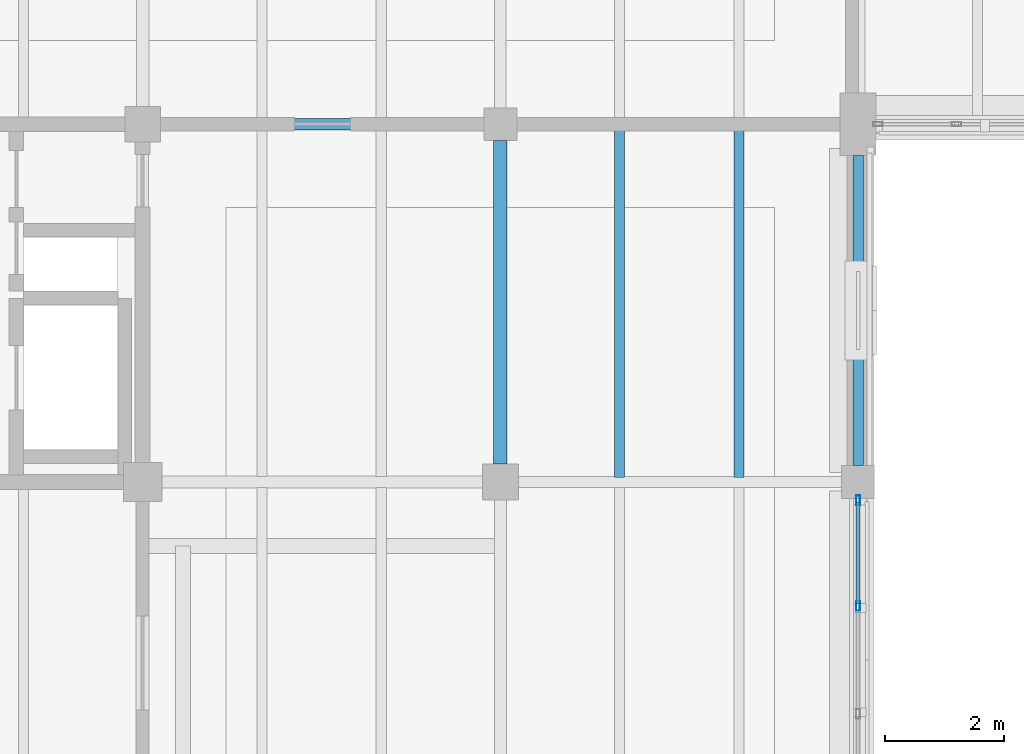
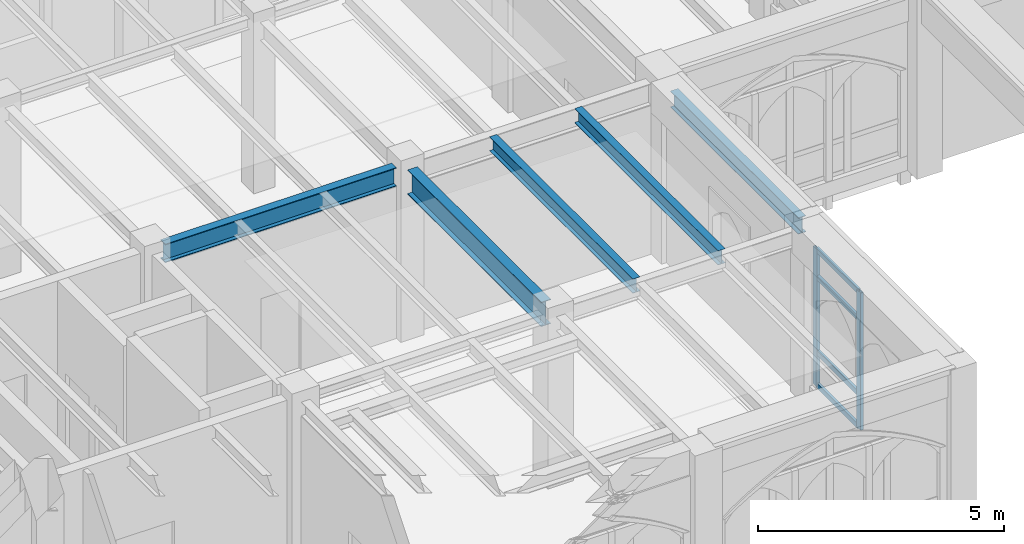
# One storey, part 49 of 127: 6 members, 5 beams, 1 element without a shape of its own.
"""IFC4 building model written with IfcOpenShell, lengths in metres."""

from ifc_helpers import new_model, si_unit, direction, frame, origin, origin_2d, place, context, subcontext, project, spatial, hollow_rectangle, i_section, extrude, material, layer, layer_set, material_profile, profile_set, type_object, element, aggregate, save


model = new_model("IFC4")

# Units and contexts
model_context = context("Model", 3, precision=1e-05, world=origin(), true_north=direction((0.0, 1.0)))
body_context = subcontext(model_context, "Body", "Model", "MODEL_VIEW")
ifc_project = project(units=[si_unit("LENGTHUNIT", "METRE"), si_unit("AREAUNIT", "SQUARE_METRE"), si_unit("VOLUMEUNIT", "CUBIC_METRE"), si_unit("PLANEANGLEUNIT", "RADIAN"), si_unit("MASSUNIT", "GRAM", prefix="KILO")], contexts=[model_context])

# Site, building, storey
site_placement = place(None, origin())
site = spatial("IfcSite", under=ifc_project, at=site_placement, CompositionType="ELEMENT")
building_placement = place(site_placement, origin())
building = spatial("IfcBuilding", under=site, at=building_placement, Name="Cumevento Cable Car Station", CompositionType="ELEMENT")
storey_placement = place(building_placement, frame((0.0, 0.0, 4.5)))
storey = spatial("IfcBuildingStorey", under=building, at=storey_placement, Name="L02", CompositionType="ELEMENT", Elevation=4.5)

# Curtain wall, members
ifc_material_1 = material(Name="Anodised Bronze Aluminium AW-6063-T6", Category="aluminium")
ifc_layer = layer(ifc_material_1, 0.238037109375)
ifc_layer_set = layer_set([ifc_layer], Name="Anodised Bronze Aluminium AW-6063-T6")
curtain_wall_type = type_object("IfcCurtainWallType", Name="Lancet Curtain Wall CW-14 1570", PredefinedType="NOTDEFINED", material=ifc_layer_set)
curtain_wall_placement = place(storey_placement, origin())
curtain_wall = element("IfcCurtainWall", 1, at=curtain_wall_placement, inside=storey, type_object=curtain_wall_type, Name="Lancet Curtain Wall CW-14 L02 #45", PredefinedType="NOTDEFINED")
ifc_material_2 = material(Name="Anodised Bronze Aluminium AW-6063-T6", Category="aluminium")
ifc_material_profile_1 = material_profile(ifc_material_2, hollow_rectangle(XDim=0.06494140625, YDim=0.159912109375, WallThickness=0.00390625, at=origin_2d()), Name="ALUM65x160x4")
ifc_profile_set_1 = profile_set([ifc_material_profile_1], Name="Anodised Bronze Aluminium AW-6063-T6")
member_type_1 = type_object("IfcMemberType", Name="Curtain Mullion CWM-01 ALUM65x160x4", PredefinedType="MULLION", material=ifc_profile_set_1)
member_1_placement = place(storey_placement, frame((82.0, 38.6923828125, 0.409912109375), z_axis=(0.0, 0.0, 1.0), x_axis=(1.0, 0.0, 0.0)))
member_1 = element("IfcMember", 2, at=member_1_placement, type_object=member_type_1, Name="CW-14 mullion 1", PredefinedType="MULLION", context=body_context, shape_type="SweptSolid", body=[
    extrude(hollow_rectangle(XDim=0.06494140625, YDim=0.159912109375, WallThickness=0.00390625, at=origin_2d()), origin(), (0.0, 0.0, 1.0), 3.4111328125),
])
member_2_placement = place(storey_placement, frame((82.0, 36.916748046875, 0.409912109375), z_axis=(0.0, 0.0, 1.0), x_axis=(1.0, 0.0, 0.0)))
member_2 = element("IfcMember", 3, at=member_2_placement, type_object=member_type_1, Name="CW-14 mullion 2", PredefinedType="MULLION", context=body_context, shape_type="SweptSolid", body=[
    extrude(hollow_rectangle(XDim=0.06494140625, YDim=0.159912109375, WallThickness=0.00390625, at=origin_2d()), origin(), (0.0, 0.0, 1.0), 3.4111328125),
])
ifc_material_3 = material(Name="Anodised Bronze Aluminium AW-6063-T6", Category="aluminium")
ifc_material_profile_2 = material_profile(ifc_material_3, hollow_rectangle(XDim=0.06494140625, YDim=0.1201171875, WallThickness=0.00390625, at=origin_2d()), Name="ALUT65x120x4")
ifc_profile_set_2 = profile_set([ifc_material_profile_2], Name="Anodised Bronze Aluminium AW-6063-T6")
member_type_2 = type_object("IfcMemberType", Name="Curtain Transom CWT-01 ALUT65x120x4", PredefinedType="USERDEFINED", material=ifc_profile_set_2)
member_3_placement = place(storey_placement, frame((82.0, 38.659912109375, 0.4423828125), z_axis=(0.0, -1.0, 0.0), x_axis=(1.0, 0.0, 0.0)))
member_3 = element("IfcMember", 4, at=member_3_placement, type_object=member_type_2, Name="CW-14 transom 1.1", ObjectType="TRANSOM", PredefinedType="USERDEFINED", context=body_context, shape_type="SweptSolid", body=[
    extrude(hollow_rectangle(XDim=0.06494140625, YDim=0.1201171875, WallThickness=0.00390625, at=origin_2d()), origin(), (0.0, 0.0, 1.0), 1.710693359375),
])
member_4_placement = place(storey_placement, frame((82.0, 38.659912109375, 1.260009765625), z_axis=(0.0, -1.0, 0.0), x_axis=(1.0, 0.0, 0.0)))
member_4 = element("IfcMember", 5, at=member_4_placement, type_object=member_type_2, Name="CW-14 transom 1.2", ObjectType="TRANSOM", PredefinedType="USERDEFINED", context=body_context, shape_type="SweptSolid", body=[
    extrude(hollow_rectangle(XDim=0.06494140625, YDim=0.1201171875, WallThickness=0.00390625, at=origin_2d()), origin(), (0.0, 0.0, 1.0), 1.710693359375),
])
member_5_placement = place(storey_placement, frame((82.0, 38.659912109375, 3.12109375), z_axis=(0.0, -1.0, 0.0), x_axis=(1.0, 0.0, 0.0)))
member_5 = element("IfcMember", 6, at=member_5_placement, type_object=member_type_2, Name="CW-14 transom 1.3", ObjectType="TRANSOM", PredefinedType="USERDEFINED", context=body_context, shape_type="SweptSolid", body=[
    extrude(hollow_rectangle(XDim=0.06494140625, YDim=0.1201171875, WallThickness=0.00390625, at=origin_2d()), origin(), (0.0, 0.0, 1.0), 1.710693359375),
])
member_6_placement = place(storey_placement, frame((82.0, 38.659912109375, 3.78857421875), z_axis=(0.0, -1.0, 0.0), x_axis=(1.0, 0.0, 0.0)))
member_6 = element("IfcMember", 7, at=member_6_placement, type_object=member_type_2, Name="CW-14 transom 1.4", ObjectType="TRANSOM", PredefinedType="USERDEFINED", context=body_context, shape_type="SweptSolid", body=[
    extrude(hollow_rectangle(XDim=0.06494140625, YDim=0.1201171875, WallThickness=0.00390625, at=origin_2d()), origin(), (0.0, 0.0, 1.0), 1.710693359375),
])
aggregate(curtain_wall, [member_1, member_2, member_3, member_4, member_5, member_6])

# Beams
ifc_material_4 = material(Name="Steel ASTM A572 Grade 50", Category="steel")
ifc_material_profile_3 = material_profile(ifc_material_4, i_section(OverallWidth=0.22802734375, OverallDepth=0.60791015625, WebThickness=0.01123046875, FlangeThickness=0.017333984375, at=origin_2d()), Name="W610x113.0")
ifc_profile_set_3 = profile_set([ifc_material_profile_3], Name="Steel ASTM A572 Grade 50")
beam_type_1 = type_object("IfcBeamType", Name="Structural Beam BM-02 W610x113.0", PredefinedType="BEAM", material=ifc_profile_set_3)
beam_1_placement = place(storey_placement, frame((76.0, 39.300048828125, 3.924072265625), z_axis=(0.0, 1.0, 0.0), x_axis=(-1.0, 0.0, 0.0)))
element("IfcBeam", 8, at=beam_1_placement, inside=storey, type_object=beam_type_1, Name="Beam BM-02 L02 #514", PredefinedType="BEAM", context=body_context, shape_type="SweptSolid", body=[
    extrude(i_section(OverallWidth=0.22802734375, OverallDepth=0.60791015625, WebThickness=0.01123046875, FlangeThickness=0.017333984375, at=origin_2d()), origin(), (0.0, 0.0, 1.0), 5.425048828125),
])
ifc_material_5 = material(Name="Steel ASTM A572 Grade 50", Category="steel")
ifc_material_profile_4 = material_profile(ifc_material_5, i_section(OverallWidth=0.19189453125, OverallDepth=0.462890625, WebThickness=0.010498046875, FlangeThickness=0.017578125, at=origin_2d()), Name="W460x89.0")
ifc_profile_set_4 = profile_set([ifc_material_profile_4], Name="Steel ASTM A572 Grade 50")
beam_type_2 = type_object("IfcBeamType", Name="Structural Beam BM-10 W460x89.0", PredefinedType="BEAM", material=ifc_profile_set_4)
beam_2_placement = place(storey_placement, frame((70.300048828125, 45.0, 3.99658203125), z_axis=(1.0, 0.0, 0.0), x_axis=(0.0, 1.0, 0.0)))
element("IfcBeam", 9, at=beam_2_placement, inside=storey, type_object=beam_type_2, Name="Beam BM-10 L02 #511", PredefinedType="BEAM", context=body_context, shape_type="SweptSolid", body=[
    extrude(i_section(OverallWidth=0.19189453125, OverallDepth=0.462890625, WebThickness=0.010498046875, FlangeThickness=0.017578125, at=origin_2d()), origin(), (0.0, 0.0, 1.0), 5.425048828125),
])
ifc_material_6 = material(Name="Steel ASTM A572 Grade 50", Category="steel")
ifc_material_profile_5 = material_profile(ifc_material_6, i_section(OverallWidth=0.1708984375, OverallDepth=0.35498046875, WebThickness=0.007080078125, FlangeThickness=0.01171875, at=origin_2d()), Name="W360x51.0")
ifc_profile_set_5 = profile_set([ifc_material_profile_5], Name="Steel ASTM A572 Grade 50")
beam_type_3 = type_object("IfcBeamType", Name="Structural Joist JS-01 W360x51.0", PredefinedType="JOIST", material=ifc_profile_set_5)
for number, where, z_axis, x_axis, name in (
    (10, (78.0, 39.077880859375, 4.050537109375), (0.0, 1.0, 0.0), (-1.0, 0.0, 0.0), "Composite Floor Joist JS-01 L02 #776"),
    (11, (80.0, 39.077880859375, 4.050537109375), (0.0, 1.0, 0.0), (-1.0, 0.0, 0.0), "Composite Floor Joist JS-01 L02 #778"),
):
    element("IfcBeam", number, at=place(storey_placement, frame(where, z_axis=z_axis, x_axis=x_axis)), inside=storey, type_object=beam_type_3, Name=name, PredefinedType="JOIST", context=body_context, shape_type="SweptSolid", body=[
        extrude(i_section(OverallWidth=0.1708984375, OverallDepth=0.35498046875, WebThickness=0.007080078125, FlangeThickness=0.01171875, at=origin_2d()), origin(), (0.0, 0.0, 1.0), 5.82861328125),
    ])
ifc_material_7 = material(Name="Steel ASTM A572 Grade 50", Category="steel")
ifc_material_profile_6 = material_profile(ifc_material_7, i_section(OverallWidth=0.177978515625, OverallDepth=0.406982421875, WebThickness=0.0078125, FlangeThickness=0.0126953125, at=origin_2d()), Name="W410x60.0")
ifc_profile_set_6 = profile_set([ifc_material_profile_6], Name="Steel ASTM A572 Grade 50")
beam_type_4 = type_object("IfcBeamType", Name="Structural Spandrel SP-01 W410x60.0", PredefinedType="SPANDREL", material=ifc_profile_set_6)
beam_3_placement = place(storey_placement, frame((82.0, 39.27490234375, 4.0244140625), z_axis=(0.0, 1.0, 0.0), x_axis=(-1.0, 0.0, 0.0)))
element("IfcBeam", 12, at=beam_3_placement, inside=storey, type_object=beam_type_4, Name="Beam SP-01 L02 #516", PredefinedType="SPANDREL", context=body_context, shape_type="SweptSolid", body=[
    extrude(i_section(OverallWidth=0.177978515625, OverallDepth=0.406982421875, WebThickness=0.0078125, FlangeThickness=0.0126953125, at=origin_2d()), origin(), (0.0, 0.0, 1.0), 5.2001953125),
])

save(model, "model.ifc")
